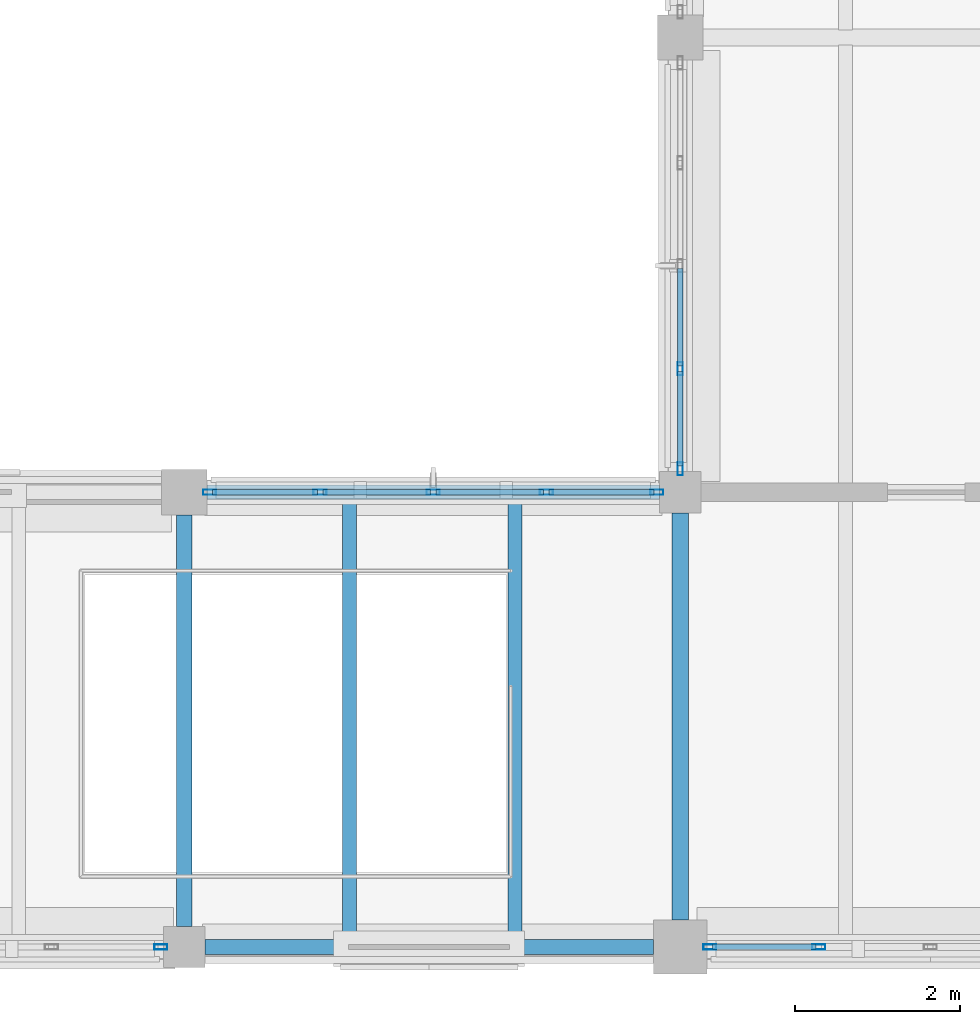
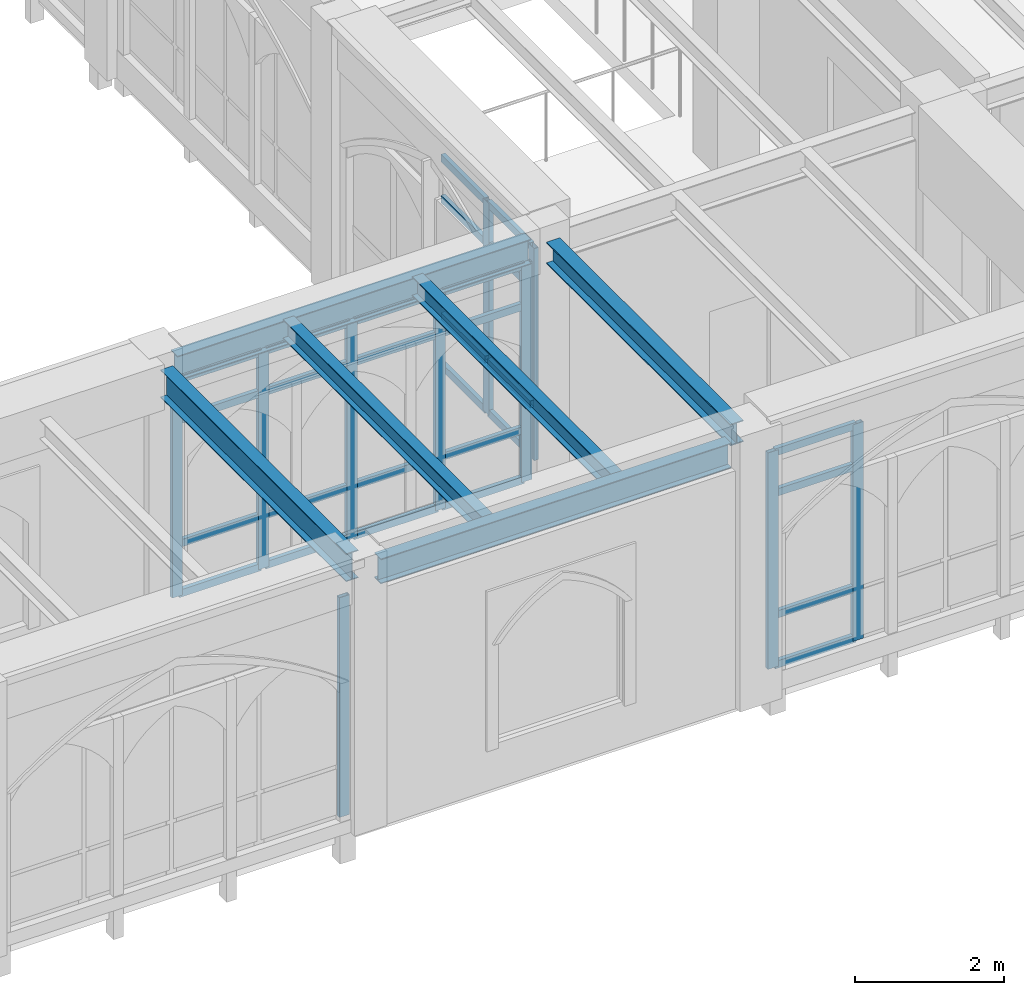
# One storey, part 17 of 127: 38 members, 6 beams, 4 elements without a shape of their own.
"""IFC4 building model written with IfcOpenShell, lengths in metres."""

from ifc_helpers import new_model, si_unit, direction, frame, origin, origin_2d, place, context, subcontext, project, spatial, hollow_rectangle, i_section, extrude, material, layer, layer_set, material_profile, profile_set, type_object, element, aggregate, save


model = new_model("IFC4")

# Units and contexts
model_context = context("Model", 3, precision=1e-05, world=origin(), true_north=direction((0.0, 1.0)))
body_context = subcontext(model_context, "Body", "Model", "MODEL_VIEW")
ifc_project = project(units=[si_unit("LENGTHUNIT", "METRE"), si_unit("AREAUNIT", "SQUARE_METRE"), si_unit("VOLUMEUNIT", "CUBIC_METRE"), si_unit("PLANEANGLEUNIT", "RADIAN"), si_unit("MASSUNIT", "GRAM", prefix="KILO")], contexts=[model_context])

# Site, building, storey
site_placement = place(None, origin())
site = spatial("IfcSite", under=ifc_project, at=site_placement, CompositionType="ELEMENT")
building_placement = place(site_placement, origin())
building = spatial("IfcBuilding", under=site, at=building_placement, Name="Cumevento Cable Car Station", CompositionType="ELEMENT")
storey_placement = place(building_placement, frame((0.0, 0.0, 4.5)))
storey = spatial("IfcBuildingStorey", under=building, at=storey_placement, Name="L02", CompositionType="ELEMENT", Elevation=4.5)

# Curtain wall, member
ifc_material_1 = material(Name="Anodised Bronze Aluminium AW-6063-T6", Category="aluminium")
ifc_layer_1 = layer(ifc_material_1, 0.214111328125)
ifc_layer_set_1 = layer_set([ifc_layer_1], Name="Anodised Bronze Aluminium AW-6063-T6")
curtain_wall_type_1 = type_object("IfcCurtainWallType", Name="Lancet Curtain Wall CW-10 1410", PredefinedType="NOTDEFINED", material=ifc_layer_set_1)
curtain_wall_1_placement = place(storey_placement, origin())
curtain_wall_1 = element("IfcCurtainWall", 1, at=curtain_wall_1_placement, inside=storey, type_object=curtain_wall_type_1, Name="Lancet Curtain Wall CW-10 L02 #25", PredefinedType="NOTDEFINED")
ifc_material_2 = material(Name="Anodised Bronze Aluminium AW-6063-T6", Category="aluminium")
ifc_material_profile_1 = material_profile(ifc_material_2, hollow_rectangle(XDim=0.06494140625, YDim=0.159912109375, WallThickness=0.00390625, at=origin_2d()), Name="ALUM65x160x4")
ifc_profile_set_1 = profile_set([ifc_material_profile_1], Name="Anodised Bronze Aluminium AW-6063-T6")
member_type_1 = type_object("IfcMemberType", Name="Curtain Mullion CWM-01 ALUM65x160x4", PredefinedType="MULLION", material=ifc_profile_set_1)
member_1_placement = place(storey_placement, frame((51.717529296875, 4.0, 0.2099609375), z_axis=(0.0, 0.0, 1.0), x_axis=(0.0, -1.0, 0.0)))
member_1 = element("IfcMember", 2, at=member_1_placement, type_object=member_type_1, Name="CW-10 mullion 1", PredefinedType="MULLION", context=body_context, shape_type="SweptSolid", body=[
    extrude(hollow_rectangle(XDim=0.06494140625, YDim=0.159912109375, WallThickness=0.00390625, at=origin_2d()), origin(), (0.0, 0.0, 1.0), 3.59912109375),
])
aggregate(curtain_wall_1, [member_1])

# Curtain wall, members
ifc_material_3 = material(Name="Anodised Bronze Aluminium AW-6063-T6", Category="aluminium")
ifc_layer_2 = layer(ifc_material_3, 0.219970703125)
ifc_layer_set_2 = layer_set([ifc_layer_2], Name="Anodised Bronze Aluminium AW-6063-T6")
curtain_wall_type_2 = type_object("IfcCurtainWallType", Name="Lancet Curtain Wall CW-11 1450", PredefinedType="NOTDEFINED", material=ifc_layer_set_2)
curtain_wall_2_placement = place(storey_placement, origin())
curtain_wall_2 = element("IfcCurtainWall", 3, at=curtain_wall_2_placement, inside=storey, type_object=curtain_wall_type_2, Name="Lancet Curtain Wall CW-11 L02 #26", PredefinedType="NOTDEFINED")
member_2_placement = place(storey_placement, frame((52.3076171875, 9.5, 0.260009765625), z_axis=(0.0, 0.0, 1.0), x_axis=(0.0, 1.0, 0.0)))
member_2 = element("IfcMember", 4, at=member_2_placement, type_object=member_type_1, Name="CW-11 mullion 1", PredefinedType="MULLION", context=body_context, shape_type="SweptSolid", body=[
    extrude(hollow_rectangle(XDim=0.06494140625, YDim=0.159912109375, WallThickness=0.00390625, at=origin_2d()), origin(), (0.0, 0.0, 1.0), 3.572998046875),
])
member_3_placement = place(storey_placement, frame((53.643798828125, 9.5, 0.260009765625), z_axis=(0.0, 0.0, 1.0), x_axis=(0.0, 1.0, 0.0)))
member_3 = element("IfcMember", 5, at=member_3_placement, type_object=member_type_1, Name="CW-11 mullion 2", PredefinedType="MULLION", context=body_context, shape_type="SweptSolid", body=[
    extrude(hollow_rectangle(XDim=0.06494140625, YDim=0.159912109375, WallThickness=0.00390625, at=origin_2d()), origin(), (0.0, 0.0, 1.0), 3.572998046875),
])
member_4_placement = place(storey_placement, frame((55.012451171875, 9.5, 0.260009765625), z_axis=(0.0, 0.0, 1.0), x_axis=(0.0, 1.0, 0.0)))
member_4 = element("IfcMember", 6, at=member_4_placement, type_object=member_type_1, Name="CW-11 mullion 3", PredefinedType="MULLION", context=body_context, shape_type="SweptSolid", body=[
    extrude(hollow_rectangle(XDim=0.06494140625, YDim=0.159912109375, WallThickness=0.00390625, at=origin_2d()), origin(), (0.0, 0.0, 1.0), 3.572998046875),
])
member_5_placement = place(storey_placement, frame((56.38134765625, 9.5, 0.260009765625), z_axis=(0.0, 0.0, 1.0), x_axis=(0.0, 1.0, 0.0)))
member_5 = element("IfcMember", 7, at=member_5_placement, type_object=member_type_1, Name="CW-11 mullion 4", PredefinedType="MULLION", context=body_context, shape_type="SweptSolid", body=[
    extrude(hollow_rectangle(XDim=0.06494140625, YDim=0.159912109375, WallThickness=0.00390625, at=origin_2d()), origin(), (0.0, 0.0, 1.0), 3.572998046875),
])
member_6_placement = place(storey_placement, frame((57.717529296875, 9.5, 0.260009765625), z_axis=(0.0, 0.0, 1.0), x_axis=(0.0, 1.0, 0.0)))
member_6 = element("IfcMember", 8, at=member_6_placement, type_object=member_type_1, Name="CW-11 mullion 5", PredefinedType="MULLION", context=body_context, shape_type="SweptSolid", body=[
    extrude(hollow_rectangle(XDim=0.06494140625, YDim=0.159912109375, WallThickness=0.00390625, at=origin_2d()), origin(), (0.0, 0.0, 1.0), 3.572998046875),
])

ifc_material_4 = material(Name="Anodised Bronze Aluminium AW-6063-T6", Category="aluminium")
ifc_layer_3 = layer(ifc_material_4, 0.22607421875)
ifc_layer_set_3 = layer_set([ifc_layer_3], Name="Anodised Bronze Aluminium AW-6063-T6")
curtain_wall_type_3 = type_object("IfcCurtainWallType", Name="Lancet Curtain Wall CW-12 1490", PredefinedType="NOTDEFINED", material=ifc_layer_set_3)
curtain_wall_3_placement = place(storey_placement, origin())
curtain_wall_3 = element("IfcCurtainWall", 9, at=curtain_wall_3_placement, inside=storey, type_object=curtain_wall_type_3, Name="Lancet Curtain Wall CW-12 L02 #27", PredefinedType="NOTDEFINED")
member_7_placement = place(storey_placement, frame((59.675048828125, 4.0, 0.31005859375), z_axis=(0.0, 0.0, 1.0), x_axis=(0.0, -1.0, 0.0)))
member_7 = element("IfcMember", 10, at=member_7_placement, type_object=member_type_1, Name="CW-12 mullion 4", PredefinedType="MULLION", context=body_context, shape_type="SweptSolid", body=[
    extrude(hollow_rectangle(XDim=0.06494140625, YDim=0.159912109375, WallThickness=0.00390625, at=origin_2d()), origin(), (0.0, 0.0, 1.0), 3.546875),
])
member_8_placement = place(storey_placement, frame((58.357421875, 4.0, 0.31005859375), z_axis=(0.0, 0.0, 1.0), x_axis=(0.0, -1.0, 0.0)))
member_8 = element("IfcMember", 11, at=member_8_placement, type_object=member_type_1, Name="CW-12 mullion 5", PredefinedType="MULLION", context=body_context, shape_type="SweptSolid", body=[
    extrude(hollow_rectangle(XDim=0.06494140625, YDim=0.159912109375, WallThickness=0.00390625, at=origin_2d()), origin(), (0.0, 0.0, 1.0), 3.546875),
])

ifc_material_5 = material(Name="Anodised Bronze Aluminium AW-6063-T6", Category="aluminium")
ifc_layer_4 = layer(ifc_material_5, 0.18408203125)
ifc_layer_set_4 = layer_set([ifc_layer_4], Name="Anodised Bronze Aluminium AW-6063-T6")
curtain_wall_type_4 = type_object("IfcCurtainWallType", Name="Lancet Curtain Wall CW-05 1210", PredefinedType="NOTDEFINED", material=ifc_layer_set_4)
curtain_wall_4_placement = place(storey_placement, origin())
curtain_wall_4 = element("IfcCurtainWall", 12, at=curtain_wall_4_placement, inside=storey, type_object=curtain_wall_type_4, Name="Lancet Curtain Wall CW-05 L02 #36", PredefinedType="NOTDEFINED")
member_9_placement = place(storey_placement, frame((58.0, 9.782470703125, 0.360107421875), z_axis=(0.0, 0.0, 1.0), x_axis=(-1.0, 0.0, 0.0)))
member_9 = element("IfcMember", 13, at=member_9_placement, type_object=member_type_1, Name="CW-05 mullion 1", PredefinedType="MULLION", context=body_context, shape_type="SweptSolid", body=[
    extrude(hollow_rectangle(XDim=0.06494140625, YDim=0.159912109375, WallThickness=0.00390625, at=origin_2d()), origin(), (0.0, 0.0, 1.0), 3.472900390625),
])
member_10_placement = place(storey_placement, frame((58.0, 10.99365234375, 0.360107421875), z_axis=(0.0, 0.0, 1.0), x_axis=(-1.0, 0.0, 0.0)))
member_10 = element("IfcMember", 14, at=member_10_placement, type_object=member_type_1, Name="CW-05 mullion 2", PredefinedType="MULLION", context=body_context, shape_type="SweptSolid", body=[
    extrude(hollow_rectangle(XDim=0.06494140625, YDim=0.159912109375, WallThickness=0.00390625, at=origin_2d()), origin(), (0.0, 0.0, 1.0), 3.472900390625),
])

# Member
ifc_material_6 = material(Name="Anodised Bronze Aluminium AW-6063-T6", Category="aluminium")
ifc_material_profile_2 = material_profile(ifc_material_6, hollow_rectangle(XDim=0.06494140625, YDim=0.1201171875, WallThickness=0.00390625, at=origin_2d()), Name="ALUT65x120x4")
ifc_profile_set_2 = profile_set([ifc_material_profile_2], Name="Anodised Bronze Aluminium AW-6063-T6")
member_type_2 = type_object("IfcMemberType", Name="Curtain Transom CWT-01 ALUT65x120x4", PredefinedType="USERDEFINED", material=ifc_profile_set_2)
member_11_placement = place(storey_placement, frame((52.340087890625, 9.5, 0.29248046875), z_axis=(1.0, 0.0, 0.0), x_axis=(0.0, 1.0, 0.0)))
member_11 = element("IfcMember", 15, at=member_11_placement, type_object=member_type_2, Name="CW-11 transom 1.1", ObjectType="TRANSOM", PredefinedType="USERDEFINED", context=body_context, shape_type="SweptSolid", body=[
    extrude(hollow_rectangle(XDim=0.06494140625, YDim=0.1201171875, WallThickness=0.00390625, at=origin_2d()), origin(), (0.0, 0.0, 1.0), 1.271240234375),
])

member_12_placement = place(storey_placement, frame((52.340087890625, 9.5, 1.110107421875), z_axis=(1.0, 0.0, 0.0), x_axis=(0.0, 1.0, 0.0)))
member_12 = element("IfcMember", 16, at=member_12_placement, type_object=member_type_2, Name="CW-11 transom 1.2", ObjectType="TRANSOM", PredefinedType="USERDEFINED", context=body_context, shape_type="SweptSolid", body=[
    extrude(hollow_rectangle(XDim=0.06494140625, YDim=0.1201171875, WallThickness=0.00390625, at=origin_2d()), origin(), (0.0, 0.0, 1.0), 1.271240234375),
])

member_13_placement = place(storey_placement, frame((52.340087890625, 9.5, 3.133056640625), z_axis=(1.0, 0.0, 0.0), x_axis=(0.0, 1.0, 0.0)))
member_13 = element("IfcMember", 17, at=member_13_placement, type_object=member_type_2, Name="CW-11 transom 1.3", ObjectType="TRANSOM", PredefinedType="USERDEFINED", context=body_context, shape_type="SweptSolid", body=[
    extrude(hollow_rectangle(XDim=0.06494140625, YDim=0.1201171875, WallThickness=0.00390625, at=origin_2d()), origin(), (0.0, 0.0, 1.0), 1.271240234375),
])

member_14_placement = place(storey_placement, frame((52.340087890625, 9.5, 3.800537109375), z_axis=(1.0, 0.0, 0.0), x_axis=(0.0, 1.0, 0.0)))
member_14 = element("IfcMember", 18, at=member_14_placement, type_object=member_type_2, Name="CW-11 transom 1.4", ObjectType="TRANSOM", PredefinedType="USERDEFINED", context=body_context, shape_type="SweptSolid", body=[
    extrude(hollow_rectangle(XDim=0.06494140625, YDim=0.1201171875, WallThickness=0.00390625, at=origin_2d()), origin(), (0.0, 0.0, 1.0), 1.271240234375),
])

member_15_placement = place(storey_placement, frame((53.67626953125, 9.5, 0.29248046875), z_axis=(1.0, 0.0, 0.0), x_axis=(0.0, 1.0, 0.0)))
member_15 = element("IfcMember", 19, at=member_15_placement, type_object=member_type_2, Name="CW-11 transom 2.1", ObjectType="TRANSOM", PredefinedType="USERDEFINED", context=body_context, shape_type="SweptSolid", body=[
    extrude(hollow_rectangle(XDim=0.06494140625, YDim=0.1201171875, WallThickness=0.00390625, at=origin_2d()), origin(), (0.0, 0.0, 1.0), 1.3037109375),
])

member_16_placement = place(storey_placement, frame((53.67626953125, 9.5, 1.110107421875), z_axis=(1.0, 0.0, 0.0), x_axis=(0.0, 1.0, 0.0)))
member_16 = element("IfcMember", 20, at=member_16_placement, type_object=member_type_2, Name="CW-11 transom 2.2", ObjectType="TRANSOM", PredefinedType="USERDEFINED", context=body_context, shape_type="SweptSolid", body=[
    extrude(hollow_rectangle(XDim=0.06494140625, YDim=0.1201171875, WallThickness=0.00390625, at=origin_2d()), origin(), (0.0, 0.0, 1.0), 1.3037109375),
])

member_17_placement = place(storey_placement, frame((53.67626953125, 9.5, 3.133056640625), z_axis=(1.0, 0.0, 0.0), x_axis=(0.0, 1.0, 0.0)))
member_17 = element("IfcMember", 21, at=member_17_placement, type_object=member_type_2, Name="CW-11 transom 2.3", ObjectType="TRANSOM", PredefinedType="USERDEFINED", context=body_context, shape_type="SweptSolid", body=[
    extrude(hollow_rectangle(XDim=0.06494140625, YDim=0.1201171875, WallThickness=0.00390625, at=origin_2d()), origin(), (0.0, 0.0, 1.0), 1.3037109375),
])

member_18_placement = place(storey_placement, frame((53.67626953125, 9.5, 3.800537109375), z_axis=(1.0, 0.0, 0.0), x_axis=(0.0, 1.0, 0.0)))
member_18 = element("IfcMember", 22, at=member_18_placement, type_object=member_type_2, Name="CW-11 transom 2.4", ObjectType="TRANSOM", PredefinedType="USERDEFINED", context=body_context, shape_type="SweptSolid", body=[
    extrude(hollow_rectangle(XDim=0.06494140625, YDim=0.1201171875, WallThickness=0.00390625, at=origin_2d()), origin(), (0.0, 0.0, 1.0), 1.3037109375),
])

member_19_placement = place(storey_placement, frame((55.044921875, 9.5, 0.29248046875), z_axis=(1.0, 0.0, 0.0), x_axis=(0.0, 1.0, 0.0)))
member_19 = element("IfcMember", 23, at=member_19_placement, type_object=member_type_2, Name="CW-11 transom 3.1", ObjectType="TRANSOM", PredefinedType="USERDEFINED", context=body_context, shape_type="SweptSolid", body=[
    extrude(hollow_rectangle(XDim=0.06494140625, YDim=0.1201171875, WallThickness=0.00390625, at=origin_2d()), origin(), (0.0, 0.0, 1.0), 1.3037109375),
])

member_20_placement = place(storey_placement, frame((55.044921875, 9.5, 1.110107421875), z_axis=(1.0, 0.0, 0.0), x_axis=(0.0, 1.0, 0.0)))
member_20 = element("IfcMember", 24, at=member_20_placement, type_object=member_type_2, Name="CW-11 transom 3.2", ObjectType="TRANSOM", PredefinedType="USERDEFINED", context=body_context, shape_type="SweptSolid", body=[
    extrude(hollow_rectangle(XDim=0.06494140625, YDim=0.1201171875, WallThickness=0.00390625, at=origin_2d()), origin(), (0.0, 0.0, 1.0), 1.3037109375),
])

member_21_placement = place(storey_placement, frame((55.044921875, 9.5, 3.133056640625), z_axis=(1.0, 0.0, 0.0), x_axis=(0.0, 1.0, 0.0)))
member_21 = element("IfcMember", 25, at=member_21_placement, type_object=member_type_2, Name="CW-11 transom 3.3", ObjectType="TRANSOM", PredefinedType="USERDEFINED", context=body_context, shape_type="SweptSolid", body=[
    extrude(hollow_rectangle(XDim=0.06494140625, YDim=0.1201171875, WallThickness=0.00390625, at=origin_2d()), origin(), (0.0, 0.0, 1.0), 1.3037109375),
])

member_22_placement = place(storey_placement, frame((55.044921875, 9.5, 3.800537109375), z_axis=(1.0, 0.0, 0.0), x_axis=(0.0, 1.0, 0.0)))
member_22 = element("IfcMember", 26, at=member_22_placement, type_object=member_type_2, Name="CW-11 transom 3.4", ObjectType="TRANSOM", PredefinedType="USERDEFINED", context=body_context, shape_type="SweptSolid", body=[
    extrude(hollow_rectangle(XDim=0.06494140625, YDim=0.1201171875, WallThickness=0.00390625, at=origin_2d()), origin(), (0.0, 0.0, 1.0), 1.3037109375),
])

member_23_placement = place(storey_placement, frame((56.413818359375, 9.5, 0.29248046875), z_axis=(1.0, 0.0, 0.0), x_axis=(0.0, 1.0, 0.0)))
member_23 = element("IfcMember", 27, at=member_23_placement, type_object=member_type_2, Name="CW-11 transom 4.1", ObjectType="TRANSOM", PredefinedType="USERDEFINED", context=body_context, shape_type="SweptSolid", body=[
    extrude(hollow_rectangle(XDim=0.06494140625, YDim=0.1201171875, WallThickness=0.00390625, at=origin_2d()), origin(), (0.0, 0.0, 1.0), 1.271240234375),
])

member_24_placement = place(storey_placement, frame((56.413818359375, 9.5, 1.110107421875), z_axis=(1.0, 0.0, 0.0), x_axis=(0.0, 1.0, 0.0)))
member_24 = element("IfcMember", 28, at=member_24_placement, type_object=member_type_2, Name="CW-11 transom 4.2", ObjectType="TRANSOM", PredefinedType="USERDEFINED", context=body_context, shape_type="SweptSolid", body=[
    extrude(hollow_rectangle(XDim=0.06494140625, YDim=0.1201171875, WallThickness=0.00390625, at=origin_2d()), origin(), (0.0, 0.0, 1.0), 1.271240234375),
])

member_25_placement = place(storey_placement, frame((56.413818359375, 9.5, 3.133056640625), z_axis=(1.0, 0.0, 0.0), x_axis=(0.0, 1.0, 0.0)))
member_25 = element("IfcMember", 29, at=member_25_placement, type_object=member_type_2, Name="CW-11 transom 4.3", ObjectType="TRANSOM", PredefinedType="USERDEFINED", context=body_context, shape_type="SweptSolid", body=[
    extrude(hollow_rectangle(XDim=0.06494140625, YDim=0.1201171875, WallThickness=0.00390625, at=origin_2d()), origin(), (0.0, 0.0, 1.0), 1.271240234375),
])

member_26_placement = place(storey_placement, frame((56.413818359375, 9.5, 3.800537109375), z_axis=(1.0, 0.0, 0.0), x_axis=(0.0, 1.0, 0.0)))
member_26 = element("IfcMember", 30, at=member_26_placement, type_object=member_type_2, Name="CW-11 transom 4.4", ObjectType="TRANSOM", PredefinedType="USERDEFINED", context=body_context, shape_type="SweptSolid", body=[
    extrude(hollow_rectangle(XDim=0.06494140625, YDim=0.1201171875, WallThickness=0.00390625, at=origin_2d()), origin(), (0.0, 0.0, 1.0), 1.271240234375),
])

aggregate(curtain_wall_2, [member_2, member_3, member_4, member_5, member_6, member_11, member_12, member_13, member_14, member_15, member_16, member_17, member_18, member_19, member_20, member_21, member_22, member_23, member_24, member_25, member_26])

member_27_placement = place(storey_placement, frame((59.642578125, 4.0, 0.342529296875), z_axis=(-1.0, 0.0, 0.0), x_axis=(0.0, -1.0, 0.0)))
member_27 = element("IfcMember", 31, at=member_27_placement, type_object=member_type_2, Name="CW-12 transom 4.1", ObjectType="TRANSOM", PredefinedType="USERDEFINED", context=body_context, shape_type="SweptSolid", body=[
    extrude(hollow_rectangle(XDim=0.06494140625, YDim=0.1201171875, WallThickness=0.00390625, at=origin_2d()), origin(), (0.0, 0.0, 1.0), 1.252685546875),
])

member_28_placement = place(storey_placement, frame((59.642578125, 4.0, 1.159912109375), z_axis=(-1.0, 0.0, 0.0), x_axis=(0.0, -1.0, 0.0)))
member_28 = element("IfcMember", 32, at=member_28_placement, type_object=member_type_2, Name="CW-12 transom 4.2", ObjectType="TRANSOM", PredefinedType="USERDEFINED", context=body_context, shape_type="SweptSolid", body=[
    extrude(hollow_rectangle(XDim=0.06494140625, YDim=0.1201171875, WallThickness=0.00390625, at=origin_2d()), origin(), (0.0, 0.0, 1.0), 1.252685546875),
])

member_29_placement = place(storey_placement, frame((59.642578125, 4.0, 3.156982421875), z_axis=(-1.0, 0.0, 0.0), x_axis=(0.0, -1.0, 0.0)))
member_29 = element("IfcMember", 33, at=member_29_placement, type_object=member_type_2, Name="CW-12 transom 4.3", ObjectType="TRANSOM", PredefinedType="USERDEFINED", context=body_context, shape_type="SweptSolid", body=[
    extrude(hollow_rectangle(XDim=0.06494140625, YDim=0.1201171875, WallThickness=0.00390625, at=origin_2d()), origin(), (0.0, 0.0, 1.0), 1.252685546875),
])

member_30_placement = place(storey_placement, frame((59.642578125, 4.0, 3.824462890625), z_axis=(-1.0, 0.0, 0.0), x_axis=(0.0, -1.0, 0.0)))
member_30 = element("IfcMember", 34, at=member_30_placement, type_object=member_type_2, Name="CW-12 transom 4.4", ObjectType="TRANSOM", PredefinedType="USERDEFINED", context=body_context, shape_type="SweptSolid", body=[
    extrude(hollow_rectangle(XDim=0.06494140625, YDim=0.1201171875, WallThickness=0.00390625, at=origin_2d()), origin(), (0.0, 0.0, 1.0), 1.252685546875),
])

aggregate(curtain_wall_3, [member_7, member_8, member_27, member_28, member_29, member_30])

member_31_placement = place(storey_placement, frame((58.0, 9.81494140625, 0.392578125), z_axis=(0.0, 1.0, 0.0), x_axis=(-1.0, 0.0, 0.0)))
member_31 = element("IfcMember", 35, at=member_31_placement, type_object=member_type_2, Name="CW-05 transom 1.1", ObjectType="TRANSOM", PredefinedType="USERDEFINED", context=body_context, shape_type="SweptSolid", body=[
    extrude(hollow_rectangle(XDim=0.06494140625, YDim=0.1201171875, WallThickness=0.00390625, at=origin_2d()), origin(), (0.0, 0.0, 1.0), 1.146240234375),
])

member_32_placement = place(storey_placement, frame((58.0, 9.81494140625, 1.2099609375), z_axis=(0.0, 1.0, 0.0), x_axis=(-1.0, 0.0, 0.0)))
member_32 = element("IfcMember", 36, at=member_32_placement, type_object=member_type_2, Name="CW-05 transom 1.2", ObjectType="TRANSOM", PredefinedType="USERDEFINED", context=body_context, shape_type="SweptSolid", body=[
    extrude(hollow_rectangle(XDim=0.06494140625, YDim=0.1201171875, WallThickness=0.00390625, at=origin_2d()), origin(), (0.0, 0.0, 1.0), 1.146240234375),
])

member_33_placement = place(storey_placement, frame((58.0, 9.81494140625, 3.133056640625), z_axis=(0.0, 1.0, 0.0), x_axis=(-1.0, 0.0, 0.0)))
member_33 = element("IfcMember", 37, at=member_33_placement, type_object=member_type_2, Name="CW-05 transom 1.3", ObjectType="TRANSOM", PredefinedType="USERDEFINED", context=body_context, shape_type="SweptSolid", body=[
    extrude(hollow_rectangle(XDim=0.06494140625, YDim=0.1201171875, WallThickness=0.00390625, at=origin_2d()), origin(), (0.0, 0.0, 1.0), 1.146240234375),
])

member_34_placement = place(storey_placement, frame((58.0, 9.81494140625, 3.800537109375), z_axis=(0.0, 1.0, 0.0), x_axis=(-1.0, 0.0, 0.0)))
member_34 = element("IfcMember", 38, at=member_34_placement, type_object=member_type_2, Name="CW-05 transom 1.4", ObjectType="TRANSOM", PredefinedType="USERDEFINED", context=body_context, shape_type="SweptSolid", body=[
    extrude(hollow_rectangle(XDim=0.06494140625, YDim=0.1201171875, WallThickness=0.00390625, at=origin_2d()), origin(), (0.0, 0.0, 1.0), 1.146240234375),
])

member_35_placement = place(storey_placement, frame((58.0, 11.0263671875, 0.392578125), z_axis=(0.0, 1.0, 0.0), x_axis=(-1.0, 0.0, 0.0)))
member_35 = element("IfcMember", 39, at=member_35_placement, type_object=member_type_2, Name="CW-05 transom 2.1", ObjectType="TRANSOM", PredefinedType="USERDEFINED", context=body_context, shape_type="SweptSolid", body=[
    extrude(hollow_rectangle(XDim=0.06494140625, YDim=0.1201171875, WallThickness=0.00390625, at=origin_2d()), origin(), (0.0, 0.0, 1.0), 1.1787109375),
])

member_36_placement = place(storey_placement, frame((58.0, 11.0263671875, 1.2099609375), z_axis=(0.0, 1.0, 0.0), x_axis=(-1.0, 0.0, 0.0)))
member_36 = element("IfcMember", 40, at=member_36_placement, type_object=member_type_2, Name="CW-05 transom 2.2", ObjectType="TRANSOM", PredefinedType="USERDEFINED", context=body_context, shape_type="SweptSolid", body=[
    extrude(hollow_rectangle(XDim=0.06494140625, YDim=0.1201171875, WallThickness=0.00390625, at=origin_2d()), origin(), (0.0, 0.0, 1.0), 1.1787109375),
])

member_37_placement = place(storey_placement, frame((58.0, 11.0263671875, 3.133056640625), z_axis=(0.0, 1.0, 0.0), x_axis=(-1.0, 0.0, 0.0)))
member_37 = element("IfcMember", 41, at=member_37_placement, type_object=member_type_2, Name="CW-05 transom 2.3", ObjectType="TRANSOM", PredefinedType="USERDEFINED", context=body_context, shape_type="SweptSolid", body=[
    extrude(hollow_rectangle(XDim=0.06494140625, YDim=0.1201171875, WallThickness=0.00390625, at=origin_2d()), origin(), (0.0, 0.0, 1.0), 1.1787109375),
])

member_38_placement = place(storey_placement, frame((58.0, 11.0263671875, 3.800537109375), z_axis=(0.0, 1.0, 0.0), x_axis=(-1.0, 0.0, 0.0)))
member_38 = element("IfcMember", 42, at=member_38_placement, type_object=member_type_2, Name="CW-05 transom 2.4", ObjectType="TRANSOM", PredefinedType="USERDEFINED", context=body_context, shape_type="SweptSolid", body=[
    extrude(hollow_rectangle(XDim=0.06494140625, YDim=0.1201171875, WallThickness=0.00390625, at=origin_2d()), origin(), (0.0, 0.0, 1.0), 1.1787109375),
])

aggregate(curtain_wall_4, [member_9, member_10, member_31, member_32, member_33, member_34, member_35, member_36, member_37, member_38])

# Beams
ifc_material_7 = material(Name="Steel ASTM A572 Grade 50", Category="steel")
ifc_material_profile_3 = material_profile(ifc_material_7, i_section(OverallWidth=0.18994140625, OverallDepth=0.45703125, WebThickness=0.009033203125, FlangeThickness=0.014404296875, at=origin_2d()), Name="W460x74.0")
ifc_profile_set_3 = profile_set([ifc_material_profile_3], Name="Steel ASTM A572 Grade 50")
beam_type_1 = type_object("IfcBeamType", Name="Structural Beam BM-04 W460x74.0", PredefinedType="BEAM", material=ifc_profile_set_3)
beam_1_placement = place(storey_placement, frame((52.0, 4.25, 4.035400390625), z_axis=(0.0, 1.0, 0.0), x_axis=(-1.0, 0.0, 0.0)))
element("IfcBeam", 43, at=beam_1_placement, inside=storey, type_object=beam_type_1, Name="Beam BM-04 L02 #461", PredefinedType="BEAM", context=body_context, shape_type="SweptSolid", body=[
    extrude(i_section(OverallWidth=0.18994140625, OverallDepth=0.45703125, WebThickness=0.009033203125, FlangeThickness=0.014404296875, at=origin_2d()), origin(), (0.0, 0.0, 1.0), 4.97509765625),
])
ifc_material_8 = material(Name="Steel ASTM A572 Grade 50", Category="steel")
ifc_material_profile_4 = material_profile(ifc_material_8, i_section(OverallWidth=0.205078125, OverallDepth=0.35400390625, WebThickness=0.009521484375, FlangeThickness=0.016845703125, at=origin_2d()), Name="W360x79.0")
ifc_profile_set_4 = profile_set([ifc_material_profile_4], Name="Steel ASTM A572 Grade 50")
beam_type_2 = type_object("IfcBeamType", Name="Structural Beam BM-05 W360x79.0", PredefinedType="BEAM", material=ifc_profile_set_4)
beam_2_placement = place(storey_placement, frame((58.0, 4.324951171875, 4.06298828125), z_axis=(0.0, 1.0, 0.0), x_axis=(-1.0, 0.0, 0.0)))
element("IfcBeam", 44, at=beam_2_placement, inside=storey, type_object=beam_type_2, Name="Beam BM-05 L02 #462", PredefinedType="BEAM", context=body_context, shape_type="SweptSolid", body=[
    extrude(i_section(OverallWidth=0.205078125, OverallDepth=0.35400390625, WebThickness=0.009521484375, FlangeThickness=0.016845703125, at=origin_2d()), origin(), (0.0, 0.0, 1.0), 4.925048828125),
])
ifc_material_9 = material(Name="Steel ASTM A572 Grade 50", Category="steel")
ifc_material_profile_5 = material_profile(ifc_material_9, i_section(OverallWidth=0.1669921875, OverallDepth=0.31689453125, WebThickness=0.007568359375, FlangeThickness=0.01318359375, at=origin_2d()), Name="W310x52.0")
ifc_profile_set_5 = profile_set([ifc_material_profile_5], Name="Steel ASTM A572 Grade 50")
beam_type_3 = type_object("IfcBeamType", Name="Structural Joist JS-02 W310x52.0", PredefinedType="JOIST", material=ifc_profile_set_5)
for number, where, z_axis, x_axis, name in (
    (45, (54.0, 4.076904296875, 4.10546875), (0.0, 1.0, 0.0), (-1.0, 0.0, 0.0), "Composite Floor Joist JS-02 L02 #736"),
    (46, (56.0, 4.076904296875, 4.10546875), (0.0, 1.0, 0.0), (-1.0, 0.0, 0.0), "Composite Floor Joist JS-02 L02 #737"),
):
    element("IfcBeam", number, at=place(storey_placement, frame(where, z_axis=z_axis, x_axis=x_axis)), inside=storey, type_object=beam_type_3, Name=name, PredefinedType="JOIST", context=body_context, shape_type="SweptSolid", body=[
        extrude(i_section(OverallWidth=0.1669921875, OverallDepth=0.31689453125, WebThickness=0.007568359375, FlangeThickness=0.01318359375, at=origin_2d()), origin(), (0.0, 0.0, 1.0), 5.34619140625),
    ])
ifc_material_10 = material(Name="Steel ASTM A572 Grade 50", Category="steel")
ifc_material_profile_6 = material_profile(ifc_material_10, i_section(OverallWidth=0.177978515625, OverallDepth=0.406982421875, WebThickness=0.0078125, FlangeThickness=0.0126953125, at=origin_2d()), Name="W410x60.0")
ifc_profile_set_6 = profile_set([ifc_material_profile_6], Name="Steel ASTM A572 Grade 50")
beam_type_4 = type_object("IfcBeamType", Name="Structural Spandrel SP-01 W410x60.0", PredefinedType="SPANDREL", material=ifc_profile_set_6)
beam_3_placement = place(storey_placement, frame((52.25, 4.0, 4.060546875), z_axis=(1.0, 0.0, 0.0), x_axis=(0.0, 1.0, 0.0)))
element("IfcBeam", 47, at=beam_3_placement, inside=storey, type_object=beam_type_4, Name="Beam SP-01 L02 #450", PredefinedType="SPANDREL", context=body_context, shape_type="SweptSolid", body=[
    extrude(i_section(OverallWidth=0.177978515625, OverallDepth=0.406982421875, WebThickness=0.0078125, FlangeThickness=0.0126953125, at=origin_2d()), origin(), (0.0, 0.0, 1.0), 5.425048828125),
])
beam_4_placement = place(storey_placement, frame((52.27490234375, 9.5, 4.03662109375), z_axis=(1.0, 0.0, 0.0), x_axis=(0.0, 1.0, 0.0)))
element("IfcBeam", 48, at=beam_4_placement, inside=storey, type_object=beam_type_4, Name="Beam SP-01 L02 #456", PredefinedType="SPANDREL", context=body_context, shape_type="SweptSolid", body=[
    extrude(i_section(OverallWidth=0.177978515625, OverallDepth=0.406982421875, WebThickness=0.0078125, FlangeThickness=0.0126953125, at=origin_2d()), origin(), (0.0, 0.0, 1.0), 5.47509765625),
])

save(model, "model.ifc")
